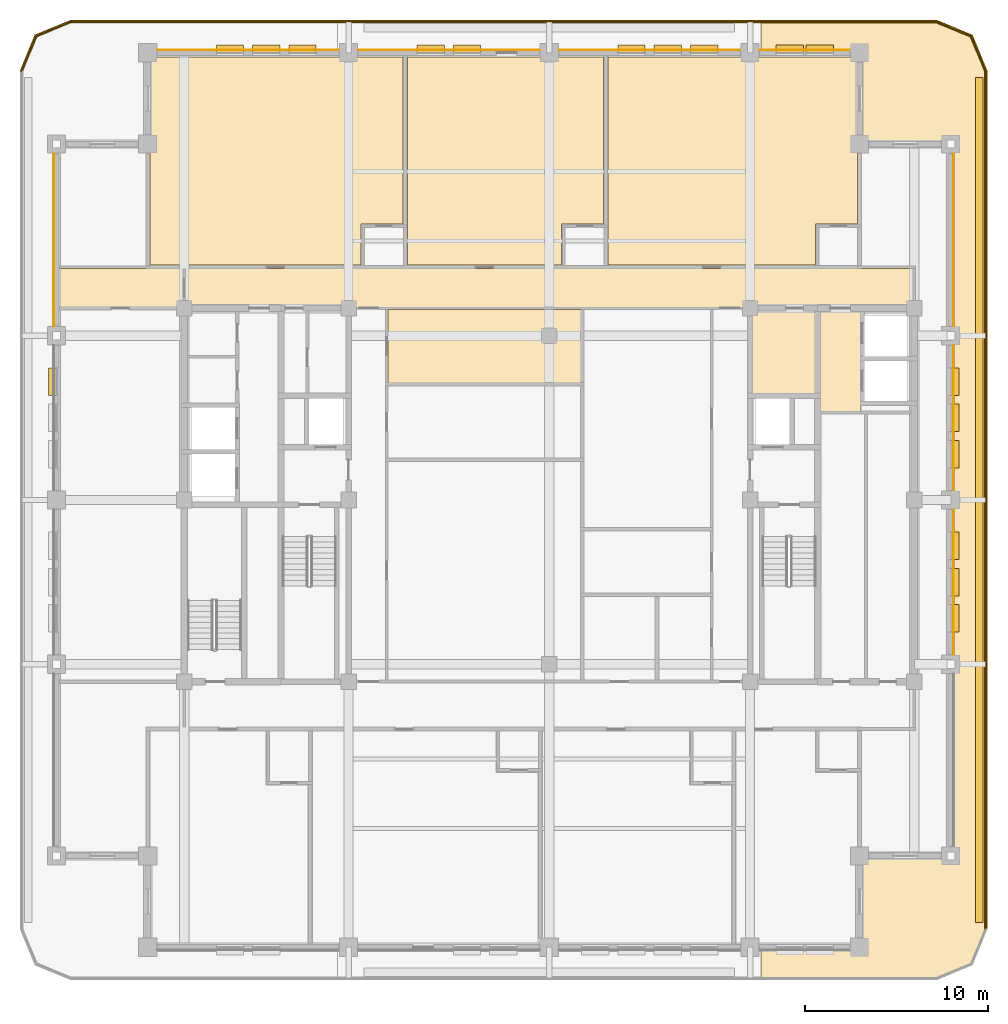
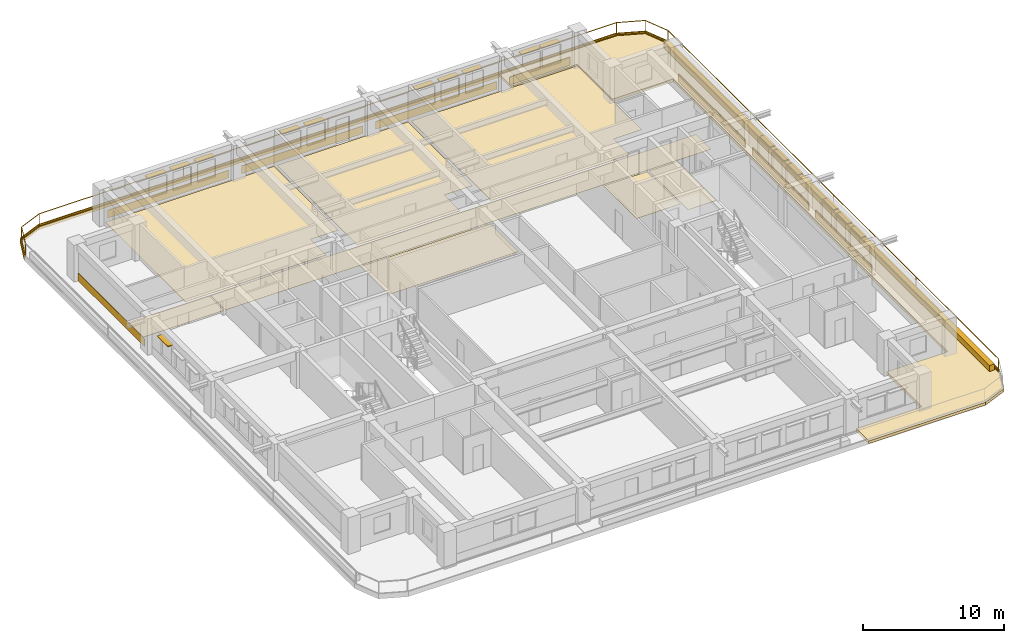
# One storey, part 14 of 14: 24 coverings, 17 shading devices, 2 railings.
"""IFC4 building model written with IfcOpenShell, lengths in metres."""

from ifc_helpers import new_model, si_unit, direction, frame, frame_2d, origin, origin_2d, place, context, subcontext, project, spatial, polyline, rectangle, outline, extrude, material, layer, layer_set, type_object, element, save


model = new_model("IFC4")

# Units and contexts
model_context = context("Model", 3, precision=1e-05, world=origin(), true_north=direction((0.0, 1.0)))
body_context = subcontext(model_context, "Body", "Model", "MODEL_VIEW")
ifc_project = project(units=[si_unit("LENGTHUNIT", "METRE"), si_unit("AREAUNIT", "SQUARE_METRE"), si_unit("VOLUMEUNIT", "CUBIC_METRE"), si_unit("PLANEANGLEUNIT", "RADIAN"), si_unit("MASSUNIT", "GRAM", prefix="KILO")], contexts=[model_context])

# Site, building, storey
site_placement = place(None, origin())
site = spatial("IfcSite", under=ifc_project, at=site_placement, CompositionType="ELEMENT")
building_placement = place(site_placement, origin())
building = spatial("IfcBuilding", under=site, at=building_placement, Name="Zulmaris Gate Convention Tower", CompositionType="ELEMENT")
storey_placement = place(building_placement, frame((0.0, 0.0, 198.260009765625)))
storey = spatial("IfcBuildingStorey", under=building, at=storey_placement, Name="L51", CompositionType="ELEMENT", Elevation=198.260009765625)

# Coverings
ifc_material_1 = material(Name="Precast concrete C40/50", Category="concrete")
ifc_layer_1 = layer(ifc_material_1, 0.0400390625, Name="Precast concrete C40/50")
ifc_layer_set_1 = layer_set([ifc_layer_1], Name="Precast concrete C40/50")
covering_type_1 = type_object("IfcCoveringType", Name="CLAD-SPANDREL-PRECAST", PredefinedType="CLADDING", material=ifc_layer_set_1)
for number, where, z_axis, x_axis, name in (
    (1, (-11.530029296875, 24.64990234375, 0.0), (0.0, 0.0, 1.0), (-1.0, 0.0, 0.0), "CLD-L51-N-0_0"),
    (2, (-0.530029296875, 24.64990234375, 0.0), (0.0, 0.0, 1.0), (-1.0, 0.0, 0.0), "CLD-L51-N-1_0"),
    (3, (10.469970703125, 24.64990234375, 0.0), (0.0, 0.0, 1.0), (-1.0, 0.0, 0.0), "CLD-L51-N-2_0"),
):
    element("IfcCovering", number, at=place(storey_placement, frame(where, z_axis=z_axis, x_axis=x_axis)), inside=storey, type_object=covering_type_1, Name=name, PredefinedType="CLADDING", context=body_context, shape_type="SweptSolid", body=[
        extrude(rectangle(XDim=9.93994140625, YDim=0.0400390625, at=frame_2d((4.969970703125, 0.0))), origin(), (0.0, 0.0, 1.0), 0.679931640625),
    ])
covering_1_placement = place(storey_placement, frame((16.469970703125, 24.64990234375, 0.0), z_axis=(0.0, 0.0, 1.0), x_axis=(-1.0, 0.0, 0.0)))
element("IfcCovering", 4, at=covering_1_placement, inside=storey, type_object=covering_type_1, Name="CLD-L51-N-3_0", PredefinedType="CLADDING", context=body_context, shape_type="SweptSolid", body=[
    extrude(rectangle(XDim=4.93994140625, YDim=0.0400390625, at=frame_2d((2.469970703125, 0.0))), origin(), (0.0, 0.0, 1.0), 0.679931640625),
])
for number, where, z_axis, x_axis, name in (
    (5, (22.14990234375, -8.469970703125, 0.0), (0.0, 0.0, 1.0), (0.0, 1.0, 0.0), "CLD-L51-E-1_0"),
    (6, (22.14990234375, 0.530029296875, 0.0), (0.0, 0.0, 1.0), (0.0, 1.0, 0.0), "CLD-L51-E-2_0"),
):
    element("IfcCovering", number, at=place(storey_placement, frame(where, z_axis=z_axis, x_axis=x_axis)), inside=storey, type_object=covering_type_1, Name=name, PredefinedType="CLADDING", context=body_context, shape_type="SweptSolid", body=[
        extrude(rectangle(XDim=7.93994140625, YDim=0.0400390625, at=frame_2d((3.969970703125, 0.0))), origin(), (0.0, 0.0, 1.0), 0.679931640625),
    ])
for number, where, z_axis, x_axis, name in (
    (7, (22.14990234375, 9.530029296875, 0.0), (0.0, 0.0, 1.0), (0.0, 1.0, 0.0), "CLD-L51-E-3_0"),
    (8, (-27.14990234375, 18.969970703125, 0.0), (0.0, 0.0, 1.0), (0.0, -1.0, 0.0), "CLD-L51-W-3_0"),
):
    element("IfcCovering", number, at=place(storey_placement, frame(where, z_axis=z_axis, x_axis=x_axis)), inside=storey, type_object=covering_type_1, Name=name, PredefinedType="CLADDING", context=body_context, shape_type="SweptSolid", body=[
        extrude(rectangle(XDim=9.43994140625, YDim=0.0400390625, at=frame_2d((4.719970703125, 0.0))), origin(), (0.0, 0.0, 1.0), 0.679931640625),
    ])
ifc_material_2 = material(Name="White Glazed Architectural Precast Concrete C40/50", Category="concrete")
ifc_layer_2 = layer(ifc_material_2, 0.239990234375, Name="White Glazed Architectural Precast Concrete C40/50")
ifc_layer_set_2 = layer_set([ifc_layer_2], Name="White Glazed Architectural Precast Concrete C40/50")
covering_type_2 = type_object("IfcCoveringType", Name="CLAD-TRAY-DECK", PredefinedType="CLADDING", material=ifc_layer_set_2)
covering_2_placement = place(storey_placement, frame((0.0, 0.0, -0.27490234375)))
element("IfcCovering", 9, at=covering_2_placement, inside=storey, type_object=covering_type_2, Name="L51 East Rounded-Fascia Planter Tray Deck", PredefinedType="CLADDING", context=body_context, shape_type="SweptSolid", body=[
    extrude(outline(polyline([(21.199951171875, 26.300048828125), (23.179931640625, 25.47998046875), (24.0, 23.5), (24.0, -23.5), (23.179931640625, -25.47998046875), (21.199951171875, -26.300048828125), (11.60205078125, -26.300048828125), (11.60205078125, -24.5), (17.0, -24.5), (17.0, -19.5), (22.0, -19.5), (22.0, 19.5), (17.0, 19.5), (17.0, 24.5), (11.60205078125, 24.5), (11.60205078125, 26.300048828125), (21.199951171875, 26.300048828125)])), origin(), (0.0, 0.0, 1.0), 0.239990234375),
])
ifc_layer_3 = layer(ifc_material_2, 0.080078125, Name="White Glazed Architectural Precast Concrete C40/50")
ifc_layer_set_3 = layer_set([ifc_layer_3], Name="White Glazed Architectural Precast Concrete C40/50")
covering_type_3 = type_object("IfcCoveringType", Name="CLAD-TRAY-FASCIA", PredefinedType="CLADDING", material=ifc_layer_set_3)
covering_3_placement = place(storey_placement, frame((23.9599609375, -23.5, -0.31494140625), z_axis=(0.0, 0.0, 1.0), x_axis=(0.0, 1.0, 0.0)))
element("IfcCovering", 10, at=covering_3_placement, inside=storey, type_object=covering_type_3, Name="FSC-L51-TR-05", PredefinedType="CLADDING", context=body_context, shape_type="SweptSolid", body=[
    extrude(rectangle(XDim=47.0, YDim=0.080078125, at=frame_2d((23.5, 0.0))), origin(), (0.0, 0.0, 1.0), 0.43994140625),
])
covering_4_placement = place(storey_placement, frame((23.962890625, 23.484619140625, -0.31494140625), z_axis=(0.0, 0.0, 1.0), x_axis=(-0.382656984709, 0.923890487046, 0.0)))
element("IfcCovering", 11, at=covering_4_placement, inside=storey, type_object=covering_type_3, Name="FSC-L51-TR-06", PredefinedType="CLADDING", context=body_context, shape_type="SweptSolid", body=[
    extrude(rectangle(XDim=2.14306640625, YDim=0.080078125, at=frame_2d((1.071533203125, 0.0))), origin(), (0.0, 0.0, 1.0), 0.43994140625),
])
covering_5_placement = place(storey_placement, frame((23.16455078125, 25.44287109375, -0.31494140625), z_axis=(0.0, 0.0, 1.0), x_axis=(-0.923873803533, 0.382697263049, 0.0)))
element("IfcCovering", 12, at=covering_5_placement, inside=storey, type_object=covering_type_3, Name="FSC-L51-TR-07", PredefinedType="CLADDING", context=body_context, shape_type="SweptSolid", body=[
    extrude(rectangle(XDim=2.142822265625, YDim=0.080078125, at=frame_2d((1.0712890625, 0.0))), origin(), (0.0, 0.0, 1.0), 0.43994140625),
])
covering_6_placement = place(storey_placement, frame((21.199951171875, 26.260009765625, -0.31494140625), z_axis=(0.0, 0.0, 1.0), x_axis=(-1.0, 0.0, 0.0)))
element("IfcCovering", 13, at=covering_6_placement, inside=storey, type_object=covering_type_3, Name="FSC-L51-TR-08", PredefinedType="CLADDING", context=body_context, shape_type="SweptSolid", body=[
    extrude(rectangle(XDim=47.39990234375, YDim=0.080078125, at=frame_2d((23.699951171875, 0.0))), origin(), (0.0, 0.0, 1.0), 0.43994140625),
])
covering_7_placement = place(storey_placement, frame((-26.184814453125, 26.262939453125, -0.31494140625), z_axis=(0.0, 0.0, 1.0), x_axis=(-0.923873803533, -0.382697263049, 0.0)))
element("IfcCovering", 14, at=covering_7_placement, inside=storey, type_object=covering_type_3, Name="FSC-L51-TR-09", PredefinedType="CLADDING", context=body_context, shape_type="SweptSolid", body=[
    extrude(rectangle(XDim=2.142822265625, YDim=0.080078125, at=frame_2d((1.0712890625, 0.0))), origin(), (0.0, 0.0, 1.0), 0.43994140625),
])
covering_8_placement = place(storey_placement, frame((-28.142822265625, 25.464599609375, -0.31494140625), z_axis=(0.0, 0.0, 1.0), x_axis=(-0.382656984709, -0.923890487046, 0.0)))
element("IfcCovering", 15, at=covering_8_placement, inside=storey, type_object=covering_type_3, Name="FSC-L51-TR-10", PredefinedType="CLADDING", context=body_context, shape_type="SweptSolid", body=[
    extrude(rectangle(XDim=2.14306640625, YDim=0.080078125, at=frame_2d((1.071533203125, 0.0))), origin(), (0.0, 0.0, 1.0), 0.43994140625),
])
ifc_material_3 = material(Name="Woven Acoustic Wool Carpet Tile")
ifc_layer_4 = layer(ifc_material_3, 0.02001953125, Name="Woven Acoustic Wool Carpet Tile")
ifc_layer_set_4 = layer_set([ifc_layer_4], Name="Woven Acoustic Wool Carpet Tile")
covering_type_4 = type_object("IfcCoveringType", Name="FLR-CARPET-12", PredefinedType="FLOORING", material=ifc_layer_set_4)
covering_9_placement = place(storey_placement, origin())
element("IfcCovering", 16, at=covering_9_placement, inside=storey, type_object=covering_type_4, Name="FLR-L51-R13", PredefinedType="FLOORING", context=body_context, shape_type="SweptSolid", body=[
    extrude(outline(polyline([(11.06005859375, 5.760009765625), (14.639892578125, 5.760009765625), (14.639892578125, 10.43994140625), (11.06005859375, 10.43994140625), (11.06005859375, 5.760009765625)])), origin(), (0.0, 0.0, 1.0), 0.02001953125),
])
covering_10_placement = place(storey_placement, origin())
element("IfcCovering", 17, at=covering_10_placement, inside=storey, type_object=covering_type_4, Name="FLR-L51-R23", PredefinedType="FLOORING", context=body_context, shape_type="SweptSolid", body=[
    extrude(outline(polyline([(14.760009765625, 4.860107421875), (17.090087890625, 4.860107421875), (17.090087890625, 10.43994140625), (14.760009765625, 10.43994140625), (14.760009765625, 4.860107421875)])), origin(), (0.0, 0.0, 1.0), 0.02001953125),
])
covering_11_placement = place(storey_placement, origin())
element("IfcCovering", 18, at=covering_11_placement, inside=storey, type_object=covering_type_4, Name="FLR-L51-R28", PredefinedType="FLOORING", context=body_context, shape_type="SweptSolid", body=[
    extrude(outline(polyline([(-19.93994140625, 10.56005859375), (19.93994140625, 10.56005859375), (19.93994140625, 12.68994140625), (-19.93994140625, 12.68994140625), (-19.93994140625, 10.56005859375)])), origin(), (0.0, 0.0, 1.0), 0.02001953125),
])
covering_12_placement = place(storey_placement, origin())
element("IfcCovering", 19, at=covering_12_placement, inside=storey, type_object=covering_type_4, Name="FLR-L51-R53", PredefinedType="FLOORING", context=body_context, shape_type="SweptSolid", body=[
    extrude(outline(polyline([(-26.93994140625, 10.56005859375), (-20.06005859375, 10.56005859375), (-20.06005859375, 12.68994140625), (-26.93994140625, 12.68994140625), (-26.93994140625, 10.56005859375)])), origin(), (0.0, 0.0, 1.0), 0.02001953125),
])
ifc_material_4 = material(Name="Engineered Teak Parquet Flooring")
ifc_layer_5 = layer(ifc_material_4, 0.02001953125, Name="Engineered Teak Parquet Flooring")
ifc_layer_set_5 = layer_set([ifc_layer_5], Name="Engineered Teak Parquet Flooring")
covering_type_5 = type_object("IfcCoveringType", Name="FLR-TIMBER-18", PredefinedType="FLOORING", material=ifc_layer_set_5)
covering_13_placement = place(storey_placement, origin())
element("IfcCovering", 20, at=covering_13_placement, inside=storey, type_object=covering_type_5, Name="FLR-L51-R33", PredefinedType="FLOORING", context=body_context, shape_type="SweptSolid", body=[
    extrude(outline(polyline([(-21.8798828125, 12.8701171875), (-10.320068359375, 12.8701171875), (-10.320068359375, 15.1201171875), (-8.02001953125, 15.1201171875), (-8.02001953125, 24.260009765625), (-21.8798828125, 24.260009765625), (-21.8798828125, 12.8701171875)])), origin(), (0.0, 0.0, 1.0), 0.02001953125),
])
covering_14_placement = place(storey_placement, origin())
element("IfcCovering", 21, at=covering_14_placement, inside=storey, type_object=covering_type_5, Name="FLR-L51-R35", PredefinedType="FLOORING", context=body_context, shape_type="SweptSolid", body=[
    extrude(outline(polyline([(-7.780029296875, 12.8701171875), (0.679931640625, 12.8701171875), (0.679931640625, 15.1201171875), (2.97998046875, 15.1201171875), (2.97998046875, 24.260009765625), (-7.780029296875, 24.260009765625), (-7.780029296875, 12.8701171875)])), origin(), (0.0, 0.0, 1.0), 0.02001953125),
])
covering_15_placement = place(storey_placement, origin())
element("IfcCovering", 22, at=covering_15_placement, inside=storey, type_object=covering_type_5, Name="FLR-L51-R37", PredefinedType="FLOORING", context=body_context, shape_type="SweptSolid", body=[
    extrude(outline(polyline([(3.219970703125, 12.8701171875), (14.580078125, 12.8701171875), (14.580078125, 15.1201171875), (16.8798828125, 15.1201171875), (16.8798828125, 24.260009765625), (3.219970703125, 24.260009765625), (3.219970703125, 12.8701171875)])), origin(), (0.0, 0.0, 1.0), 0.02001953125),
])
covering_16_placement = place(storey_placement, origin())
element("IfcCovering", 23, at=covering_16_placement, inside=storey, type_object=covering_type_5, Name="FLR-L51-R46", PredefinedType="FLOORING", context=body_context, shape_type="SweptSolid", body=[
    extrude(outline(polyline([(-8.840087890625, 6.409912109375), (1.739990234375, 6.409912109375), (1.739990234375, 10.43994140625), (-8.840087890625, 10.43994140625), (-8.840087890625, 6.409912109375)])), origin(), (0.0, 0.0, 1.0), 0.02001953125),
])
ifc_material_5 = material(Name="Botanical Green Glazed Precast Concrete C40/50", Category="concrete")
ifc_layer_6 = layer(ifc_material_5, 0.419921875, Name="Botanical Green Glazed Precast Concrete C40/50")
ifc_layer_set_6 = layer_set([ifc_layer_6], Name="Botanical Green Glazed Precast Concrete C40/50")
covering_type_6 = type_object("IfcCoveringType", Name="PLANTER-BOX-200", PredefinedType="CLADDING", material=ifc_layer_set_6)
covering_17_placement = place(storey_placement, frame((0.0, 0.0, -0.034912109375)))
element("IfcCovering", 24, at=covering_17_placement, inside=storey, type_object=covering_type_6, Name="L51 E Full-Length Balcony Tree Planter Trough", PredefinedType="CLADDING", context=body_context, shape_type="SweptSolid", body=[
    extrude(outline(polyline([(23.340087890625, -23.14990234375), (23.760009765625, -23.14990234375), (23.760009765625, 23.14990234375), (23.340087890625, 23.14990234375), (23.340087890625, -23.14990234375)])), origin(), (0.0, 0.0, 1.0), 0.52001953125),
])

# Railings
ifc_material_6 = material(Name="Laminated Glass and Stainless Steel", Category="steel")
railing_type = type_object("IfcRailingType", Name="RL-BALC-1150", PredefinedType="BALUSTRADE", material=ifc_material_6)
railing_1_placement = place(storey_placement, frame((23.8798828125, -23.5, -0.034912109375)))
element("IfcRailing", 25, at=railing_1_placement, inside=storey, type_object=railing_type, Name="RL-L51-BALC-E", PredefinedType="BALUSTRADE", context=body_context, shape_type="SweptSolid", body=[
    extrude(rectangle(XDim=0.048095703125, YDim=0.048095703125, at=origin_2d()), frame((0.0, 0.0, 1.1259765625), z_axis=(0.0, 1.0, 0.0), x_axis=(-1.0, 0.0, 0.0)), (0.0, 0.0, 1.0), 47.0),
    extrude(rectangle(XDim=0.048095703125, YDim=0.048095703125, at=origin_2d()), frame((0.0, 0.0, 0.02392578125), z_axis=(0.0, 1.0, 0.0), x_axis=(-1.0, 0.0, 0.0)), (0.0, 0.0, 1.0), 47.0),
    extrude(rectangle(XDim=0.0419921875, YDim=0.0419921875, at=origin_2d()), origin(), (0.0, 0.0, 1.0), 1.101806640625),
    extrude(rectangle(XDim=0.0419921875, YDim=0.0419921875, at=origin_2d()), frame((0.0, 11.75, 0.0)), (0.0, 0.0, 1.0), 1.101806640625),
    extrude(rectangle(XDim=0.0419921875, YDim=0.0419921875, at=origin_2d()), frame((0.0, 23.5, 0.0)), (0.0, 0.0, 1.0), 1.101806640625),
    extrude(rectangle(XDim=0.0419921875, YDim=0.0419921875, at=origin_2d()), frame((0.0, 35.25, 0.0)), (0.0, 0.0, 1.0), 1.101806640625),
    extrude(rectangle(XDim=0.0419921875, YDim=0.0419921875, at=origin_2d()), frame((0.0, 47.0, 0.0)), (0.0, 0.0, 1.0), 1.101806640625),
])
railing_2_placement = place(storey_placement, frame((23.8798828125, 23.5, -0.034912109375)))
element("IfcRailing", 26, at=railing_2_placement, inside=storey, type_object=railing_type, Name="RL-L51-BALC-N", PredefinedType="BALUSTRADE", context=body_context, shape_type="SweptSolid", body=[
    extrude(rectangle(XDim=0.048095703125, YDim=0.048095703125, at=origin_2d()), frame((0.0, 0.0, 1.1259765625), z_axis=(-0.382670664694, 0.92388482095, 0.0), x_axis=(-0.92388482095, -0.382670664694, 0.0)), (0.0, 0.0, 1.0), 2.051025390625),
    extrude(rectangle(XDim=0.048095703125, YDim=0.048095703125, at=origin_2d()), frame((0.0, 0.0, 0.02392578125), z_axis=(-0.382670664694, 0.92388482095, 0.0), x_axis=(-0.92388482095, -0.382670664694, 0.0)), (0.0, 0.0, 1.0), 2.051025390625),
    extrude(rectangle(XDim=0.048095703125, YDim=0.048095703125, at=origin_2d()), frame((-0.784912109375, 1.89501953125, 1.1259765625), z_axis=(-0.92388482095, 0.382670664694, 0.0), x_axis=(-0.382670664694, -0.92388482095, 0.0)), (0.0, 0.0, 1.0), 2.051025390625),
    extrude(rectangle(XDim=0.048095703125, YDim=0.048095703125, at=origin_2d()), frame((-0.784912109375, 1.89501953125, 0.02392578125), z_axis=(-0.92388482095, 0.382670664694, 0.0), x_axis=(-0.382670664694, -0.92388482095, 0.0)), (0.0, 0.0, 1.0), 2.051025390625),
    extrude(rectangle(XDim=0.048095703125, YDim=0.048095703125, at=origin_2d()), frame((-2.679931640625, 2.679931640625, 1.1259765625), z_axis=(-1.0, 0.0, 0.0), x_axis=(0.0, -1.0, 0.0)), (0.0, 0.0, 1.0), 47.39990234375),
    extrude(rectangle(XDim=0.048095703125, YDim=0.048095703125, at=origin_2d()), frame((-2.679931640625, 2.679931640625, 0.02392578125), z_axis=(-1.0, 0.0, 0.0), x_axis=(0.0, -1.0, 0.0)), (0.0, 0.0, 1.0), 47.39990234375),
    extrude(rectangle(XDim=0.048095703125, YDim=0.048095703125, at=origin_2d()), frame((-50.079833984375, 2.679931640625, 1.1259765625), z_axis=(-0.92388482095, -0.382670664694, 0.0), x_axis=(0.382670664694, -0.92388482095, 0.0)), (0.0, 0.0, 1.0), 2.051025390625),
    extrude(rectangle(XDim=0.048095703125, YDim=0.048095703125, at=origin_2d()), frame((-50.079833984375, 2.679931640625, 0.02392578125), z_axis=(-0.92388482095, -0.382670664694, 0.0), x_axis=(0.382670664694, -0.92388482095, 0.0)), (0.0, 0.0, 1.0), 2.051025390625),
    extrude(rectangle(XDim=0.048095703125, YDim=0.048095703125, at=origin_2d()), frame((-51.974853515625, 1.89501953125, 1.1259765625), z_axis=(-0.382670664694, -0.92388482095, 0.0), x_axis=(0.92388482095, -0.382670664694, 0.0)), (0.0, 0.0, 1.0), 2.051025390625),
    extrude(rectangle(XDim=0.048095703125, YDim=0.048095703125, at=origin_2d()), frame((-51.974853515625, 1.89501953125, 0.02392578125), z_axis=(-0.382670664694, -0.92388482095, 0.0), x_axis=(0.92388482095, -0.382670664694, 0.0)), (0.0, 0.0, 1.0), 2.051025390625),
    extrude(rectangle(XDim=0.0419921875, YDim=0.0419921875, at=origin_2d()), origin(), (0.0, 0.0, 1.0), 1.101806640625),
    extrude(rectangle(XDim=0.0419921875, YDim=0.0419921875, at=origin_2d()), frame((-0.784912109375, 1.89501953125, 0.0)), (0.0, 0.0, 1.0), 1.101806640625),
    extrude(rectangle(XDim=0.0419921875, YDim=0.0419921875, at=origin_2d()), frame((-2.679931640625, 2.679931640625, 0.0)), (0.0, 0.0, 1.0), 1.101806640625),
    extrude(rectangle(XDim=0.0419921875, YDim=0.0419921875, at=origin_2d()), frame((-14.52978515625, 2.679931640625, 0.0)), (0.0, 0.0, 1.0), 1.101806640625),
    extrude(rectangle(XDim=0.0419921875, YDim=0.0419921875, at=origin_2d()), frame((-26.3798828125, 2.679931640625, 0.0)), (0.0, 0.0, 1.0), 1.101806640625),
    extrude(rectangle(XDim=0.0419921875, YDim=0.0419921875, at=origin_2d()), frame((-38.22998046875, 2.679931640625, 0.0)), (0.0, 0.0, 1.0), 1.101806640625),
    extrude(rectangle(XDim=0.0419921875, YDim=0.0419921875, at=origin_2d()), frame((-50.079833984375, 2.679931640625, 0.0)), (0.0, 0.0, 1.0), 1.101806640625),
    extrude(rectangle(XDim=0.0419921875, YDim=0.0419921875, at=origin_2d()), frame((-51.974853515625, 1.89501953125, 0.0)), (0.0, 0.0, 1.0), 1.101806640625),
    extrude(rectangle(XDim=0.0419921875, YDim=0.0419921875, at=origin_2d()), frame((-52.759765625, 0.0, 0.0)), (0.0, 0.0, 1.0), 1.101806640625),
])

# Shading devices
ifc_material_7 = material(Name="Glazed Ceramic Terracotta", Category="masonry")
ifc_layer_7 = layer(ifc_material_7, 0.070068359375, Name="Glazed Ceramic Terracotta")
ifc_layer_set_7 = layer_set([ifc_layer_7], Name="Glazed Ceramic Terracotta")
shading_device_type = type_object("IfcShadingDeviceType", Name="SHD-SUNSHADE-TC", PredefinedType="AWNING", material=ifc_layer_set_7)
for number, where, z_axis, x_axis, name in (
    (27, (-12.76806640625, 24.719970703125, 2.35009765625), (0.0, 0.0, 1.0), (-1.0, 0.0, 0.0), "SHD-EW-L51-N-0_0-1"),
    (28, (-14.756103515625, 24.719970703125, 2.35009765625), (0.0, 0.0, 1.0), (-1.0, 0.0, 0.0), "SHD-EW-L51-N-0_0-2"),
    (29, (-16.743896484375, 24.719970703125, 2.35009765625), (0.0, 0.0, 1.0), (-1.0, 0.0, 0.0), "SHD-EW-L51-N-0_0-3"),
    (30, (-3.756103515625, 24.719970703125, 2.35009765625), (0.0, 0.0, 1.0), (-1.0, 0.0, 0.0), "SHD-EW-L51-N-1_0-2"),
    (31, (-5.743896484375, 24.719970703125, 2.35009765625), (0.0, 0.0, 1.0), (-1.0, 0.0, 0.0), "SHD-EW-L51-N-1_0-3"),
    (32, (9.23193359375, 24.719970703125, 2.35009765625), (0.0, 0.0, 1.0), (-1.0, 0.0, 0.0), "SHD-EW-L51-N-2_0-1"),
    (33, (7.243896484375, 24.719970703125, 2.35009765625), (0.0, 0.0, 1.0), (-1.0, 0.0, 0.0), "SHD-EW-L51-N-2_0-2"),
    (34, (5.256103515625, 24.719970703125, 2.35009765625), (0.0, 0.0, 1.0), (-1.0, 0.0, 0.0), "SHD-EW-L51-N-2_0-3"),
    (35, (15.572998046875, 24.719970703125, 2.35009765625), (0.0, 0.0, 1.0), (-1.0, 0.0, 0.0), "SHD-EW-L51-N-3_0-1"),
    (36, (13.927001953125, 24.719970703125, 2.35009765625), (0.0, 0.0, 1.0), (-1.0, 0.0, 0.0), "SHD-EW-L51-N-3_0-2"),
    (37, (22.219970703125, -7.235107421875, 2.35009765625), (0.0, 0.0, 1.0), (0.0, 1.0, 0.0), "SHD-EW-L51-E-1_0-1"),
    (38, (22.219970703125, -5.25, 2.35009765625), (0.0, 0.0, 1.0), (0.0, 1.0, 0.0), "SHD-EW-L51-E-1_0-2"),
    (39, (22.219970703125, -3.264892578125, 2.35009765625), (0.0, 0.0, 1.0), (0.0, 1.0, 0.0), "SHD-EW-L51-E-1_0-3"),
    (40, (22.219970703125, 1.764892578125, 2.35009765625), (0.0, 0.0, 1.0), (0.0, 1.0, 0.0), "SHD-EW-L51-E-2_0-1"),
    (41, (22.219970703125, 3.75, 2.35009765625), (0.0, 0.0, 1.0), (0.0, 1.0, 0.0), "SHD-EW-L51-E-2_0-2"),
    (42, (22.219970703125, 5.735107421875, 2.35009765625), (0.0, 0.0, 1.0), (0.0, 1.0, 0.0), "SHD-EW-L51-E-2_0-3"),
    (43, (-27.219970703125, 7.235107421875, 2.35009765625), (0.0, 0.0, 1.0), (0.0, -1.0, 0.0), "SHD-EW-L51-W-2_0-1"),
):
    element("IfcShadingDevice", number, at=place(storey_placement, frame(where, z_axis=z_axis, x_axis=x_axis)), inside=storey, type_object=shading_device_type, Name=name, PredefinedType="AWNING", context=body_context, shape_type="SweptSolid", body=[
        extrude(rectangle(XDim=1.5, YDim=0.43994140625, at=frame_2d((0.75, 0.0))), origin(), (0.0, 0.0, 1.0), 0.06982421875),
    ])

save(model, "model.ifc")
